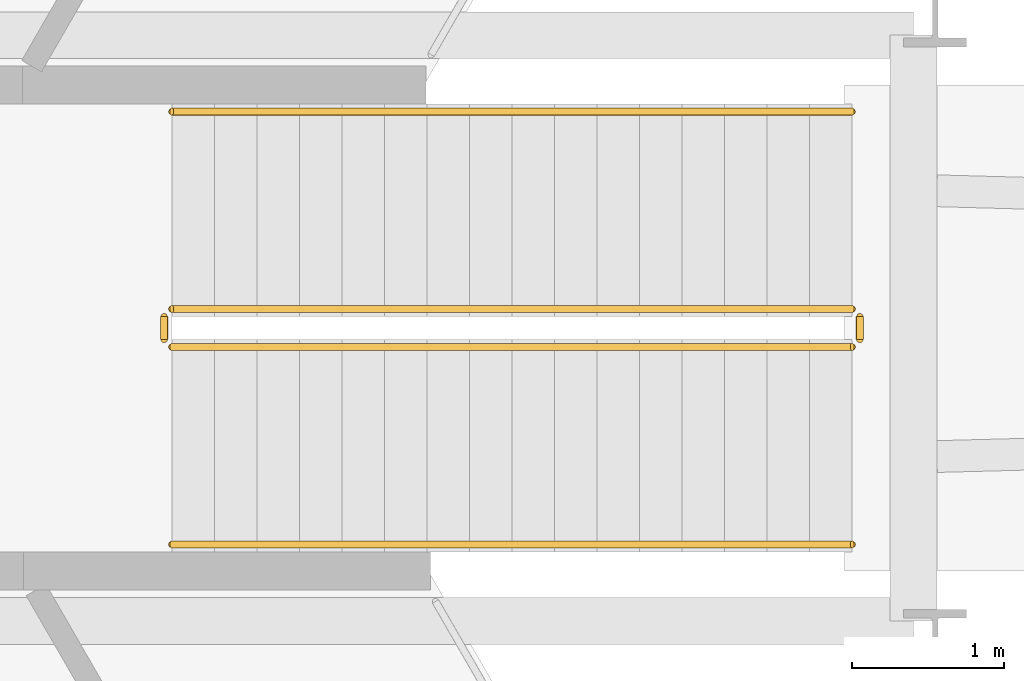
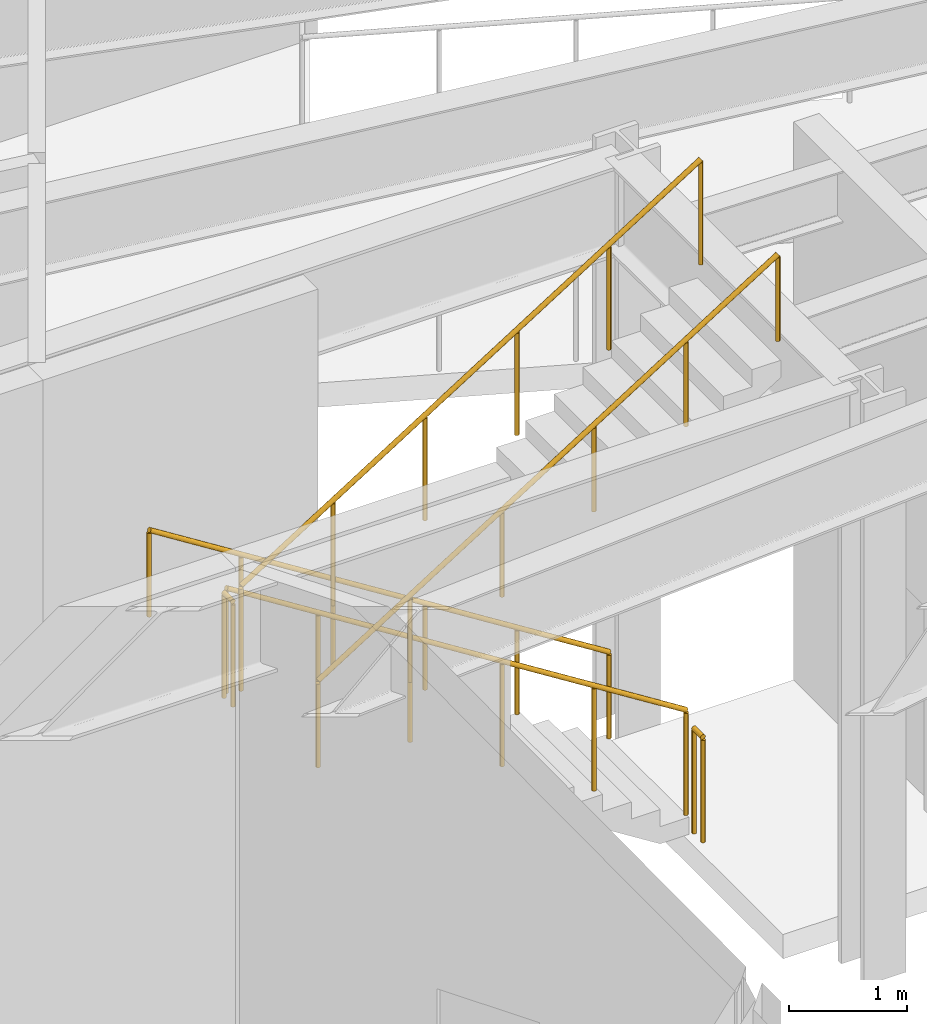
# One storey, part 27 of 32: 6 railings.
"""IFC4 building model written with IfcOpenShell, lengths in metres."""

from ifc_helpers import new_model, si_unit, direction, frame, origin, origin_2d, place, context, subcontext, project, spatial, circle, extrude, material, type_object, element, save


model = new_model("IFC4")

# Units and contexts
model_context = context("Model", 3, precision=1e-05, world=origin(), true_north=direction((0.0, 1.0)))
body_context = subcontext(model_context, "Body", "Model", "MODEL_VIEW")
ifc_project = project(units=[si_unit("LENGTHUNIT", "METRE"), si_unit("AREAUNIT", "SQUARE_METRE"), si_unit("VOLUMEUNIT", "CUBIC_METRE"), si_unit("PLANEANGLEUNIT", "RADIAN"), si_unit("MASSUNIT", "GRAM", prefix="KILO")], contexts=[model_context])

# Site, building, storey
site_placement = place(None, origin())
site = spatial("IfcSite", under=ifc_project, at=site_placement, CompositionType="ELEMENT")
building_placement = place(site_placement, origin())
building = spatial("IfcBuilding", under=site, at=building_placement, Name="Tarnside Tower", CompositionType="ELEMENT")
storey_placement = place(building_placement, frame((0.0, 0.0, 9.0)))
storey = spatial("IfcBuildingStorey", under=building, at=storey_placement, Name="L01", CompositionType="ELEMENT", Elevation=9.0)

# Railings
ifc_material = material(Name="Stainless steel", Category="steel")
railing_type_1 = type_object("IfcRailingType", Name="Podium stair guard 1100", PredefinedType="GUARDRAIL", material=ifc_material)
railing_1_placement = place(storey_placement, frame((-22.830078125, 0.10009765625, 0.176513671875)))
element("IfcRailing", 1, at=railing_1_placement, inside=storey, type_object=railing_type_1, Name="L01 PS2 stair guard 1", PredefinedType="GUARDRAIL", context=body_context, shape_type="SweptSolid", body=[
    extrude(circle(Radius=0.02392578125, at=origin_2d()), frame((0.0, 0.0, 1.076171875), z_axis=(-0.845997938375, 0.0, 0.533186166611), x_axis=(0.0, -1.0, 0.0)), (0.0, 0.0, 1.0), 5.29541015625),
    extrude(circle(Radius=0.02099609375, at=origin_2d()), origin(), (0.0, 0.0, 1.0), 1.052001953125),
    extrude(circle(Radius=0.02099609375, at=origin_2d()), frame((-0.89599609375, 0.0, 0.564697265625)), (0.0, 0.0, 1.0), 1.052001953125),
    extrude(circle(Radius=0.02099609375, at=origin_2d()), frame((-1.7919921875, 0.0, 1.12939453125)), (0.0, 0.0, 1.0), 1.052001953125),
    extrude(circle(Radius=0.02099609375, at=origin_2d()), frame((-2.68798828125, 0.0, 1.694091796875)), (0.0, 0.0, 1.0), 1.052001953125),
    extrude(circle(Radius=0.02099609375, at=origin_2d()), frame((-3.583984375, 0.0, 2.2587890625)), (0.0, 0.0, 1.0), 1.052001953125),
    extrude(circle(Radius=0.02099609375, at=origin_2d()), frame((-4.47998046875, 0.0, 2.823486328125)), (0.0, 0.0, 1.0), 1.052001953125),
])
railing_2_placement = place(storey_placement, frame((-27.360107421875, 0.050048828125, 3.0)))
element("IfcRailing", 2, at=railing_2_placement, inside=storey, type_object=railing_type_1, Name="L01 PS2 stair guard 2", PredefinedType="GUARDRAIL", context=body_context, shape_type="SweptSolid", body=[
    extrude(circle(Radius=0.02392578125, at=origin_2d()), frame((0.0, 0.0, 1.076171875), z_axis=(0.0, -1.0, 0.0), x_axis=(1.0, 0.0, 0.0)), (0.0, 0.0, 1.0), 0.150146484375),
    extrude(circle(Radius=0.02099609375, at=origin_2d()), origin(), (0.0, 0.0, 1.0), 1.052001953125),
    extrude(circle(Radius=0.02099609375, at=origin_2d()), frame((0.0, -0.150146484375, 0.0)), (0.0, 0.0, 1.0), 1.052001953125),
])
railing_3_placement = place(storey_placement, frame((-27.31005859375, -0.14990234375, 3.176513671875)))
element("IfcRailing", 3, at=railing_3_placement, inside=storey, type_object=railing_type_1, Name="L01 PS2 stair guard 3", PredefinedType="GUARDRAIL", context=body_context, shape_type="SweptSolid", body=[
    extrude(circle(Radius=0.02392578125, at=origin_2d()), frame((0.0, 0.0, 1.076171875), z_axis=(0.845997938375, 0.0, 0.533186166611), x_axis=(0.0, 1.0, 0.0)), (0.0, 0.0, 1.0), 5.29541015625),
    extrude(circle(Radius=0.02099609375, at=origin_2d()), origin(), (0.0, 0.0, 1.0), 1.052001953125),
    extrude(circle(Radius=0.02099609375, at=origin_2d()), frame((0.89599609375, 0.0, 0.564697265625)), (0.0, 0.0, 1.0), 1.052001953125),
    extrude(circle(Radius=0.02099609375, at=origin_2d()), frame((1.7919921875, 0.0, 1.12939453125)), (0.0, 0.0, 1.0), 1.052001953125),
    extrude(circle(Radius=0.02099609375, at=origin_2d()), frame((2.68798828125, 0.0, 1.694091796875)), (0.0, 0.0, 1.0), 1.052001953125),
    extrude(circle(Radius=0.02099609375, at=origin_2d()), frame((3.583984375, 0.0, 2.2587890625)), (0.0, 0.0, 1.0), 1.052001953125),
    extrude(circle(Radius=0.02099609375, at=origin_2d()), frame((4.47998046875, 0.0, 2.823486328125)), (0.0, 0.0, 1.0), 1.052001953125),
])
railing_4_placement = place(storey_placement, frame((-22.780029296875, 0.050048828125, 0.0)))
element("IfcRailing", 4, at=railing_4_placement, inside=storey, type_object=railing_type_1, Name="L01 PS2 stair guard 4", PredefinedType="GUARDRAIL", context=body_context, shape_type="SweptSolid", body=[
    extrude(circle(Radius=0.02392578125, at=origin_2d()), frame((0.0, 0.0, 1.076171875), z_axis=(0.0, -1.0, 0.0), x_axis=(1.0, 0.0, 0.0)), (0.0, 0.0, 1.0), 0.150146484375),
    extrude(circle(Radius=0.02099609375, at=origin_2d()), origin(), (0.0, 0.0, 1.0), 1.052001953125),
    extrude(circle(Radius=0.02099609375, at=origin_2d()), frame((0.0, -0.150146484375, 0.0)), (0.0, 0.0, 1.0), 1.052001953125),
])
railing_type_2 = type_object("IfcRailingType", Name="Podium stair handrail 900", PredefinedType="HANDRAIL", material=ifc_material)
railing_5_placement = place(storey_placement, frame((-22.830078125, 1.39990234375, 0.176513671875)))
element("IfcRailing", 5, at=railing_5_placement, inside=storey, type_object=railing_type_2, Name="L01 PS2 stair handrail 1", PredefinedType="HANDRAIL", context=body_context, shape_type="SweptSolid", body=[
    extrude(circle(Radius=0.02392578125, at=origin_2d()), frame((0.0, 0.0, 0.8857421875), z_axis=(-0.845997938375, 0.0, 0.533186166611), x_axis=(0.0, -1.0, 0.0)), (0.0, 0.0, 1.0), 5.29541015625),
    extrude(circle(Radius=0.02099609375, at=origin_2d()), origin(), (0.0, 0.0, 1.0), 0.86181640625),
    extrude(circle(Radius=0.02099609375, at=origin_2d()), frame((-0.89599609375, 0.0, 0.564697265625)), (0.0, 0.0, 1.0), 0.86181640625),
    extrude(circle(Radius=0.02099609375, at=origin_2d()), frame((-1.7919921875, 0.0, 1.12939453125)), (0.0, 0.0, 1.0), 0.86181640625),
    extrude(circle(Radius=0.02099609375, at=origin_2d()), frame((-2.68798828125, 0.0, 1.694091796875)), (0.0, 0.0, 1.0), 0.86181640625),
    extrude(circle(Radius=0.02099609375, at=origin_2d()), frame((-3.583984375, 0.0, 2.2587890625)), (0.0, 0.0, 1.0), 0.86181640625),
    extrude(circle(Radius=0.02099609375, at=origin_2d()), frame((-4.47998046875, 0.0, 2.823486328125)), (0.0, 0.0, 1.0), 0.86181640625),
])
railing_6_placement = place(storey_placement, frame((-27.31005859375, -1.449951171875, 3.176513671875)))
element("IfcRailing", 6, at=railing_6_placement, inside=storey, type_object=railing_type_2, Name="L01 PS2 stair handrail 2", PredefinedType="HANDRAIL", context=body_context, shape_type="SweptSolid", body=[
    extrude(circle(Radius=0.02392578125, at=origin_2d()), frame((0.0, 0.0, 0.8857421875), z_axis=(0.845997938375, 0.0, 0.533186166611), x_axis=(0.0, 1.0, 0.0)), (0.0, 0.0, 1.0), 5.29541015625),
    extrude(circle(Radius=0.02099609375, at=origin_2d()), origin(), (0.0, 0.0, 1.0), 0.86181640625),
    extrude(circle(Radius=0.02099609375, at=origin_2d()), frame((0.89599609375, 0.0, 0.564697265625)), (0.0, 0.0, 1.0), 0.86181640625),
    extrude(circle(Radius=0.02099609375, at=origin_2d()), frame((1.7919921875, 0.0, 1.12939453125)), (0.0, 0.0, 1.0), 0.86181640625),
    extrude(circle(Radius=0.02099609375, at=origin_2d()), frame((2.68798828125, 0.0, 1.694091796875)), (0.0, 0.0, 1.0), 0.86181640625),
    extrude(circle(Radius=0.02099609375, at=origin_2d()), frame((3.583984375, 0.0, 2.2587890625)), (0.0, 0.0, 1.0), 0.86181640625),
    extrude(circle(Radius=0.02099609375, at=origin_2d()), frame((4.47998046875, 0.0, 2.823486328125)), (0.0, 0.0, 1.0), 0.86181640625),
])

save(model, "model.ifc")
